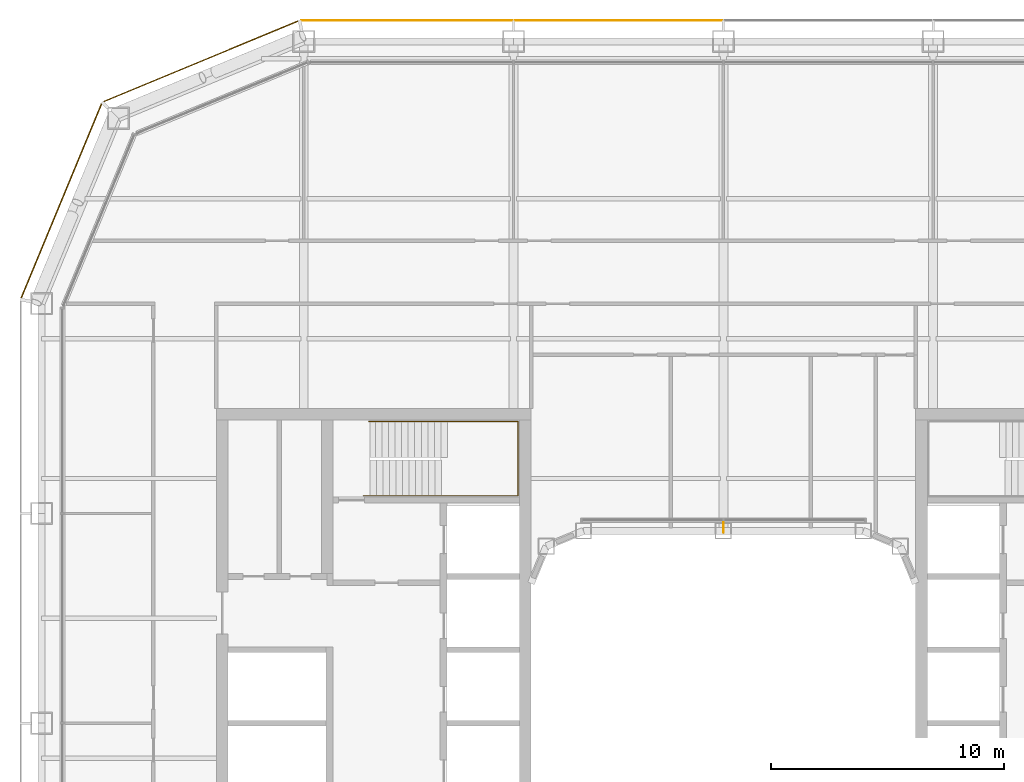
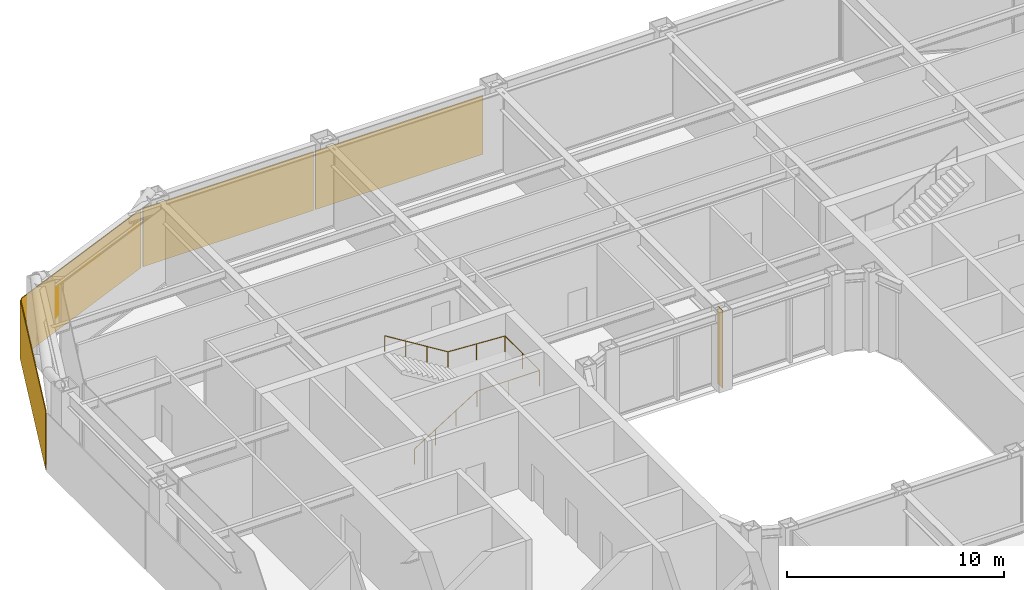
# One storey, part 21 of 23: 4 coverings, 1 railing, 1 shading device.
"""IFC4 building model written with IfcOpenShell, lengths in metres."""

import ifcopenshell
import ifcopenshell.guid

model = None  # the IFC model being written
_history = None  # IfcOwnerHistory: only IFC2X3 demands one
_inside = {}  # id of a spatial element -> (the spatial element, [elements in it])
_under = {}  # id of a project, library or spatial element -> (it, [spatial elements below it])
_declared = {}  # id of a project -> (the project, [libraries it declares])
_typed = {}  # id of a type object -> (the type object, [elements of that type])
_made_of = {}  # id of a material, layer set ... -> (it, [elements and type objects made of it])


def new_model(schema):
    """Start an empty IFC model of exactly this schema.

    Asked for "IFC4X3", IfcOpenShell would pick the latest addendum, in which some entities
    have other attributes; the version numbers below select the first issue.
    IFC2X3 requires an IfcOwnerHistory on every rooted entity: one is made here for all.
    """
    global model, _history
    if schema == "IFC4X3":
        model = ifcopenshell.file(schema_version=(4, 3, 0, 0))
    else:
        model = ifcopenshell.file(schema=schema)
    _inside.clear()
    _under.clear()
    _declared.clear()
    _typed.clear()
    _made_of.clear()
    _history = None
    if model.schema == "IFC2X3":
        org = make("IfcOrganization", Name="unknown")
        user = make(
            "IfcPersonAndOrganization",
            ThePerson=make("IfcPerson", FamilyName="unknown"),
            TheOrganization=org,
        )
        app = make(
            "IfcApplication",
            ApplicationDeveloper=org,
            Version="unknown",
            ApplicationFullName="unknown",
            ApplicationIdentifier="unknown",
        )
        _history = make(
            "IfcOwnerHistory",
            OwningUser=user,
            OwningApplication=app,
            ChangeAction="ADDED",
            CreationDate=0,
        )
    return model


def make(cls, **values):
    """One entity of the class cls with the attributes given. An attribute that is None is left unset."""
    return model.create_entity(
        cls, **{name: value for name, value in values.items() if value is not None}
    )


def rooted(cls, **values):
    """An entity with a GlobalId (a new one), such as an element, a storey or a relation."""
    return make(cls, GlobalId=ifcopenshell.guid.new(), OwnerHistory=_history, **values)


def si_unit(unit_type, name, prefix=None):
    """IfcSIUnit, for example si_unit("LENGTHUNIT", "METRE", prefix="MILLI")."""
    return make("IfcSIUnit", UnitType=unit_type, Prefix=prefix, Name=name)


def assignment(units):
    """IfcUnitAssignment: the units of a project."""
    return None if units is None else make("IfcUnitAssignment", Units=units)


def point(xyz):
    """IfcCartesianPoint."""
    return None if xyz is None else make("IfcCartesianPoint", Coordinates=xyz)


def direction(xyz):
    """IfcDirection."""
    return None if xyz is None else make("IfcDirection", DirectionRatios=xyz)


def frame(location, z_axis=None, x_axis=None):
    """IfcAxis2Placement3D, a coordinate frame: its origin and axes. An axis left out is left unset."""
    return make(
        "IfcAxis2Placement3D",
        Location=point(location),
        Axis=direction(z_axis),
        RefDirection=direction(x_axis),
    )


def frame_2d(location, x_axis=None):
    """IfcAxis2Placement2D, a coordinate frame in the plane: its origin and x axis."""
    return make(
        "IfcAxis2Placement2D", Location=point(location), RefDirection=direction(x_axis)
    )


def origin():
    """The frame at (0, 0, 0) with its axes left unset."""
    return frame((0.0, 0.0, 0.0))


def origin_2d():
    """The frame at (0, 0) in the plane with its x axis left unset."""
    return frame_2d((0.0, 0.0))


def place(relative_to, where):
    """IfcLocalPlacement: puts the frame where relative to a parent placement (None: the world)."""
    return make(
        "IfcLocalPlacement", PlacementRelTo=relative_to, RelativePlacement=where
    )


def context(
    kind, dimensions, precision=None, world=None, true_north=None, identifier=None
):
    """IfcGeometricRepresentationContext, for example the 3D "Model" context."""
    return make(
        "IfcGeometricRepresentationContext",
        ContextIdentifier=identifier,
        ContextType=kind,
        CoordinateSpaceDimension=dimensions,
        Precision=precision,
        WorldCoordinateSystem=world,
        TrueNorth=true_north,
    )


def subcontext(parent, identifier, kind, view, scale=None):
    """IfcGeometricRepresentationSubContext, for example "Body" below "Model"."""
    return make(
        "IfcGeometricRepresentationSubContext",
        ContextIdentifier=identifier,
        ContextType=kind,
        ParentContext=parent,
        TargetScale=scale,
        TargetView=view,
    )


def project(units=None, contexts=None):
    """IfcProject with its units and contexts."""
    return rooted(
        "IfcProject",
        Name="project",
        RepresentationContexts=contexts,
        UnitsInContext=assignment(units),
    )


def spatial(cls, under=None, at=None, **own):
    """A site, building, storey or space (cls), placed at a placement, below another one or the project."""
    s = rooted(cls, ObjectPlacement=at, **own)
    if under is not None:
        _under.setdefault(under.id(), (under, []))[1].append(s)
    return s


def profile(cls, at=None, kind="AREA", **sizes):
    """A parametric profile (cls). Its sizes go by their IFC names, for example OverallWidth=200.0."""
    return make(cls, ProfileType=kind, Position=at, **sizes)


def rectangle(**sizes):
    """IfcRectangleProfileDef."""
    return profile("IfcRectangleProfileDef", **sizes)


def circle(**sizes):
    """IfcCircleProfileDef."""
    return profile("IfcCircleProfileDef", **sizes)


def extrude(swept, where, along, depth):
    """IfcExtrudedAreaSolid: the profile swept, set in the frame where, extruded along a direction by depth."""
    return make(
        "IfcExtrudedAreaSolid",
        SweptArea=swept,
        Position=where,
        ExtrudedDirection=direction(along),
        Depth=depth,
    )


def shape(context_of_items, identifier, shape_type, items):
    """IfcShapeRepresentation: the items that make up one representation, for example the "Body"."""
    return make(
        "IfcShapeRepresentation",
        ContextOfItems=context_of_items,
        RepresentationIdentifier=identifier,
        RepresentationType=shape_type,
        Items=items,
    )


def material(Name=None, Category=None):
    """IfcMaterial."""
    return make("IfcMaterial", Name=Name, Category=Category)


def layer(
    of_material, thickness, ventilated=None, Name=None, Category=None, Priority=None
):
    """IfcMaterialLayer: one layer of a wall or slab, of a material (None: an air gap)."""
    return make(
        "IfcMaterialLayer",
        Material=of_material,
        LayerThickness=thickness,
        IsVentilated=ventilated,
        Name=Name,
        Category=Category,
        Priority=Priority,
    )


def layer_set(layers, Name=None):
    """IfcMaterialLayerSet."""
    return make("IfcMaterialLayerSet", MaterialLayers=layers, LayerSetName=Name)


def made_of(thing, what):
    """Note that an element or type object is made of a material, layer set ...; save() writes the relation."""
    if what is not None:
        _made_of.setdefault(what.id(), (what, []))[1].append(thing)
    return thing


def type_object(cls, material=None, **own):
    """A type object (cls), such as IfcWallType, which elements share."""
    return made_of(rooted(cls, **own), material)


def element(
    cls,
    number,
    at=None,
    inside=None,
    cuts=None,
    type_object=None,
    material=None,
    context=None,
    identifier="Body",
    shape_type=None,
    held_by="IfcProductDefinitionShape",
    body=None,
    shapes=None,
    **own,
):
    """One element of the class cls, such as IfcWall. Its Tag is "e" and its number.

    at: its placement. inside: the storey or other place that contains it. cuts: it is an
    opening in that element (IfcRelVoidsElement). A single representation is given by context,
    identifier, shape_type and body (its items); several are given by shapes. held_by: the class
    of the entity that holds the representations. save() writes the other relations.
    """
    e = rooted(cls, Tag="e%d" % number, ObjectPlacement=at, **own)
    if body is not None:
        shapes = [shape(context, identifier, shape_type, body)]
    if shapes is not None:
        e.Representation = make(held_by, Representations=shapes)
    if inside is not None:
        _inside.setdefault(inside.id(), (inside, []))[1].append(e)
    if cuts is not None:
        rooted(
            "IfcRelVoidsElement", RelatingBuildingElement=cuts, RelatedOpeningElement=e
        )
    if type_object is not None:
        _typed.setdefault(type_object.id(), (type_object, []))[1].append(e)
    return made_of(e, material)


def aggregate(whole, parts):
    """IfcRelAggregates: a whole, such as a stair, and the parts it consists of."""
    return rooted("IfcRelAggregates", RelatingObject=whole, RelatedObjects=parts)


def save(model, path):
    """Write the relations noted so far, then the file.

    IfcRelAggregates (storeys below a building ...), IfcRelContainedInSpatialStructure (elements
    in a storey), IfcRelDefinesByType, IfcRelAssociatesMaterial and IfcRelDeclares: one each for
    every whole, place, type object, material and project.
    """
    for whole, parts in _under.values():
        aggregate(whole, parts)
    for where, things in _inside.values():
        rooted(
            "IfcRelContainedInSpatialStructure",
            RelatedElements=things,
            RelatingStructure=where,
        )
    for kind, things in _typed.values():
        rooted("IfcRelDefinesByType", RelatedObjects=things, RelatingType=kind)
    for what, things in _made_of.values():
        rooted("IfcRelAssociatesMaterial", RelatedObjects=things, RelatingMaterial=what)
    for by, libraries in _declared.values():
        rooted("IfcRelDeclares", RelatingContext=by, RelatedDefinitions=libraries)
    model.write(path)


model = new_model("IFC4")

# Units and contexts
model_context = context("Model", 3, precision=1e-05, world=origin(), true_north=direction((0.0, 1.0)))
body_context = subcontext(model_context, "Body", "Model", "MODEL_VIEW")
ifc_project = project(units=[si_unit("LENGTHUNIT", "METRE"), si_unit("AREAUNIT", "SQUARE_METRE"), si_unit("VOLUMEUNIT", "CUBIC_METRE"), si_unit("PLANEANGLEUNIT", "RADIAN"), si_unit("MASSUNIT", "GRAM", prefix="KILO")], contexts=[model_context])

# Site, building, storey
site_placement = place(None, origin())
site = spatial("IfcSite", under=ifc_project, at=site_placement, CompositionType="ELEMENT")
building_placement = place(site_placement, origin())
building = spatial("IfcBuilding", under=site, at=building_placement, Name="Siwar Civic Tower", CompositionType="ELEMENT")
storey_placement = place(building_placement, frame((0.0, 0.0, 127.199951171875)))
storey = spatial("IfcBuildingStorey", under=building, at=storey_placement, Name="L27", CompositionType="ELEMENT", Elevation=127.199951171875)

# Railing
ifc_material_1 = material(Name="Stainless steel", Category="steel")
railing_type = type_object("IfcRailingType", Name="CORE-STAIR-HANDRAIL", PredefinedType="HANDRAIL", material=ifc_material_1)
railing_placement = place(storey_placement, frame((-15.449951171875, 9.758056640625, 0.173095703125)))
element("IfcRailing", 1, at=railing_placement, inside=storey, type_object=railing_type, Name="Stair handrail ST1", PredefinedType="HANDRAIL", context=body_context, shape_type="SweptSolid", body=[
    extrude(circle(Radius=0.02001953125, at=origin_2d()), frame((0.0, 0.0, 0.8798828125), z_axis=(0.847063342986, 0.0, 0.531491950051), x_axis=(0.0, 1.0, 0.0)), (0.0, 0.0, 1.0), 3.90771484375),
    extrude(circle(Radius=0.02001953125, at=origin_2d()), frame((3.31005859375, 0.0, 2.956787109375), z_axis=(1.0, 0.0, 0.0), x_axis=(0.0, 1.0, 0.0)), (0.0, 0.0, 1.0), 3.331787109375),
    extrude(circle(Radius=0.02001953125, at=origin_2d()), frame((6.641845703125, 0.0, 2.956787109375), z_axis=(0.0, 1.0, 0.0), x_axis=(-1.0, 0.0, 0.0)), (0.0, 0.0, 1.0), 3.183837890625),
    extrude(circle(Radius=0.02001953125, at=origin_2d()), frame((6.641845703125, 3.183837890625, 2.956787109375), z_axis=(-0.99837434197, 0.0, 0.056997134106), x_axis=(0.0, -1.0, 0.0)), (0.0, 0.0, 1.0), 3.036865234375),
    extrude(circle(Radius=0.02001953125, at=origin_2d()), frame((3.60986328125, 3.183837890625, 3.1298828125), z_axis=(-0.850606129759, 0.0, 0.525803396734), x_axis=(0.0, -1.0, 0.0)), (0.0, 0.0, 1.0), 3.949951171875),
    extrude(circle(Radius=0.02001953125, at=origin_2d()), origin(), (0.0, 0.0, 1.0), 0.85986328125),
    extrude(circle(Radius=0.02001953125, at=origin_2d()), frame((1.103271484375, 0.0, 0.6923828125)), (0.0, 0.0, 1.0), 0.85986328125),
    extrude(circle(Radius=0.02001953125, at=origin_2d()), frame((2.206787109375, 0.0, 1.384521484375)), (0.0, 0.0, 1.0), 0.85986328125),
    extrude(circle(Radius=0.02001953125, at=origin_2d()), frame((3.31005859375, 0.0, 2.076904296875)), (0.0, 0.0, 1.0), 0.85986328125),
    extrude(circle(Radius=0.02001953125, at=origin_2d()), frame((4.97607421875, 0.0, 2.076904296875)), (0.0, 0.0, 1.0), 0.85986328125),
    extrude(circle(Radius=0.02001953125, at=origin_2d()), frame((6.641845703125, 0.0, 2.076904296875)), (0.0, 0.0, 1.0), 0.85986328125),
    extrude(circle(Radius=0.02001953125, at=origin_2d()), frame((6.641845703125, 1.591796875, 2.076904296875)), (0.0, 0.0, 1.0), 0.85986328125),
    extrude(circle(Radius=0.02001953125, at=origin_2d()), frame((6.641845703125, 3.183837890625, 2.076904296875)), (0.0, 0.0, 1.0), 0.85986328125),
    extrude(circle(Radius=0.02001953125, at=origin_2d()), frame((5.1259765625, 3.183837890625, 2.16357421875)), (0.0, 0.0, 1.0), 0.85986328125),
    extrude(circle(Radius=0.02001953125, at=origin_2d()), frame((3.60986328125, 3.183837890625, 2.25)), (0.0, 0.0, 1.0), 0.85986328125),
    extrude(circle(Radius=0.02001953125, at=origin_2d()), frame((2.489990234375, 3.183837890625, 2.9423828125)), (0.0, 0.0, 1.0), 0.85986328125),
    extrude(circle(Radius=0.02001953125, at=origin_2d()), frame((1.369873046875, 3.183837890625, 3.634521484375)), (0.0, 0.0, 1.0), 0.85986328125),
    extrude(circle(Radius=0.02001953125, at=origin_2d()), frame((0.25, 3.183837890625, 4.326904296875)), (0.0, 0.0, 1.0), 0.85986328125),
])

# Shading device
ifc_material_2 = material(Name="Aluminium 6063-T6", Category="aluminium")
ifc_layer_1 = layer(ifc_material_2, 0.02001953125)
ifc_layer_set_1 = layer_set([ifc_layer_1], Name="Aluminium 6063-T6")
shading_device_type = type_object("IfcShadingDeviceType", Name="ENV-FIN", PredefinedType="JALOUSIE", material=ifc_layer_set_1)
shading_device_placement = place(storey_placement, frame((0.0, 8.39501953125, 0.0), z_axis=(0.0, 0.0, 1.0), x_axis=(-1.0, 0.0, 0.0)))
element("IfcShadingDevice", 2, at=shading_device_placement, inside=storey, type_object=shading_device_type, Name="SUNSHADE fin WN 1", PredefinedType="JALOUSIE", context=body_context, shape_type="SweptSolid", body=[
    extrude(rectangle(XDim=0.02001953125, YDim=0.449951171875, at=origin_2d()), origin(), (0.0, 0.0, 1.0), 4.35009765625),
])

# Coverings
ifc_material_3 = material(Name="Perforated aluminium cassette, pale metal", Category="aluminium")
ifc_layer_2 = layer(ifc_material_3, 0.0400390625)
ifc_layer_set_2 = layer_set([ifc_layer_2], Name="Perforated aluminium cassette, pale metal")
covering_type_1 = type_object("IfcCoveringType", Name="ENV-OUTER SKIN OS-1", PredefinedType="CLADDING", material=ifc_layer_set_2)
covering_1_placement = place(storey_placement, frame((-4.5, 30.14990234375, -0.14990234375), z_axis=(0.0, 0.0, 1.0), x_axis=(-1.0, 0.0, 0.0)))
element("IfcCovering", 3, at=covering_1_placement, inside=storey, type_object=covering_type_1, Name="OUTER SKIN OS-1 N 3", PredefinedType="CLADDING", context=body_context, shape_type="SweptSolid", body=[
    extrude(rectangle(XDim=8.89990234375, YDim=0.0400390625, at=origin_2d()), origin(), (0.0, 0.0, 1.0), 3.300048828125),
])
covering_2_placement = place(storey_placement, frame((-13.57958984375, 30.14990234375, -0.14990234375), z_axis=(0.0, 0.0, 1.0), x_axis=(-1.0, 0.0, 0.0)))
element("IfcCovering", 4, at=covering_2_placement, inside=storey, type_object=covering_type_1, Name="OUTER SKIN OS-1 N 4", PredefinedType="CLADDING", context=body_context, shape_type="SweptSolid", body=[
    extrude(rectangle(XDim=9.05908203125, YDim=0.0400390625, at=origin_2d()), origin(), (0.0, 0.0, 1.0), 3.300048828125),
])
covering_3_placement = place(storey_placement, frame((-22.411376953125, 28.39697265625, -0.14990234375), z_axis=(0.0, 0.0, 1.0), x_axis=(-0.923879532511, -0.382683432365, 0.0)))
element("IfcCovering", 5, at=covering_3_placement, inside=storey, type_object=covering_type_1, Name="OUTER SKIN OS-1 NW1 1", PredefinedType="CLADDING", context=body_context, shape_type="SweptSolid", body=[
    extrude(rectangle(XDim=9.022216796875, YDim=0.0400390625, at=origin_2d()), origin(), (0.0, 0.0, 1.0), 3.300048828125),
])
ifc_material_4 = material(Name="Perforated aluminium cassette, pale metal", Category="aluminium")
ifc_layer_3 = layer(ifc_material_4, 0.044921875)
ifc_layer_set_3 = layer_set([ifc_layer_3], Name="Perforated aluminium cassette, pale metal")
covering_type_2 = type_object("IfcCoveringType", Name="ENV-OUTER SKIN OS-2", PredefinedType="CLADDING", material=ifc_layer_set_3)
covering_4_placement = place(storey_placement, frame((-28.39697265625, 22.411376953125, -0.14990234375), z_axis=(0.0, 0.0, 1.0), x_axis=(-0.382683432365, -0.923879532511, 0.0)))
element("IfcCovering", 6, at=covering_4_placement, inside=storey, type_object=covering_type_2, Name="OUTER SKIN OS-2 NW2 1", PredefinedType="CLADDING", context=body_context, shape_type="SweptSolid", body=[
    extrude(rectangle(XDim=9.022216796875, YDim=0.044921875, at=origin_2d()), origin(), (0.0, 0.0, 1.0), 3.300048828125),
])

save(model, "model.ifc")
